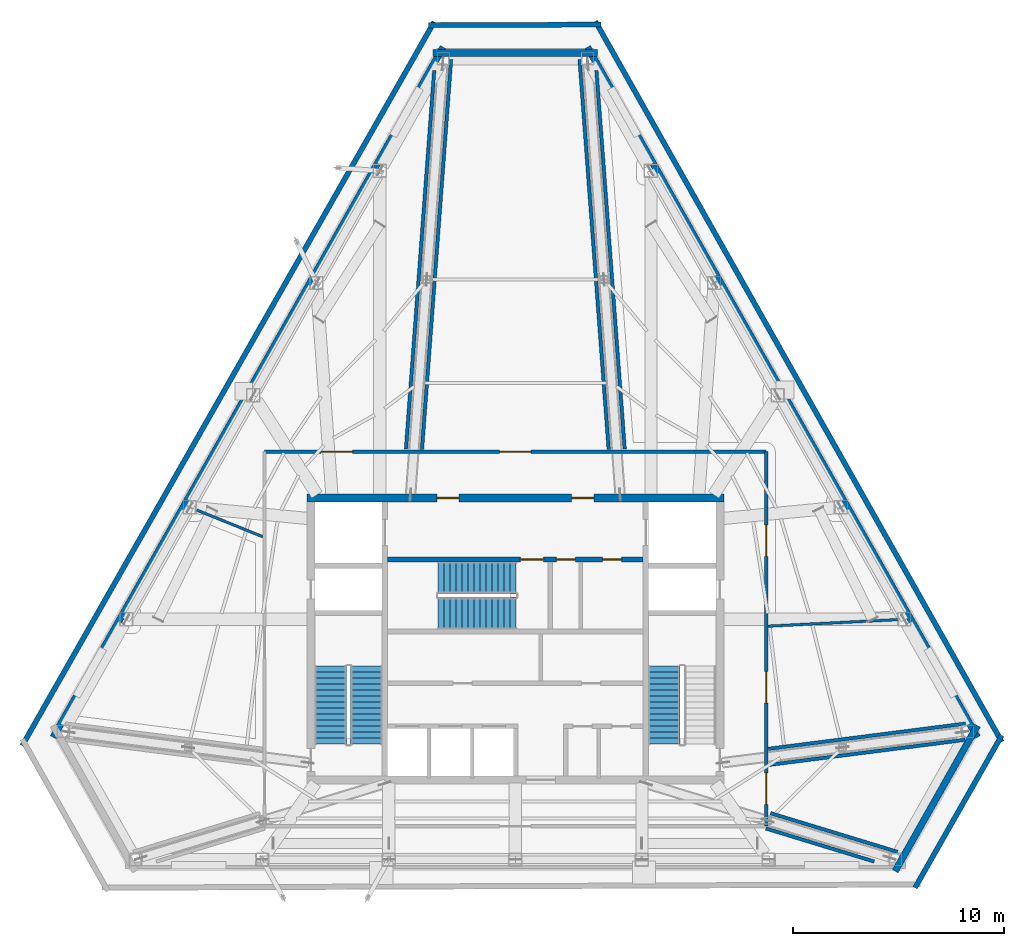
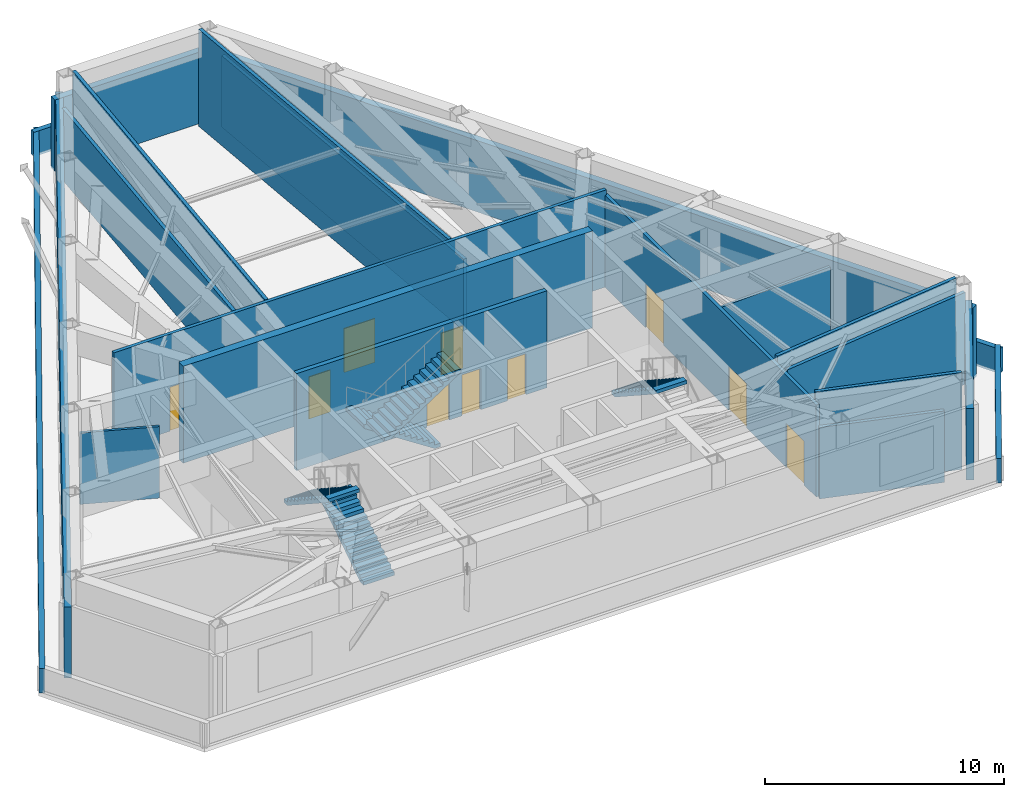
# One storey, part 10 of 13: 22 walls, 10 doors, 5 stair flights, 10 openings, 3 elements without a shape of their own.
"""IFC4 building model written with IfcOpenShell, lengths in metres."""

from ifc_helpers import new_model, si_unit, direction, frame, frame_2d, origin, place, context, subcontext, project, spatial, polyline, rectangle, outline, extrude, material, layer, layer_set, type_object, element, fill, aggregate, save


model = new_model("IFC4")

# Units and contexts
model_context = context("Model", 3, precision=1e-05, world=origin(), true_north=direction((0.0, 1.0)))
body_context = subcontext(model_context, "Body", "Model", "MODEL_VIEW")
ifc_project = project(units=[si_unit("LENGTHUNIT", "METRE"), si_unit("AREAUNIT", "SQUARE_METRE"), si_unit("VOLUMEUNIT", "CUBIC_METRE"), si_unit("PLANEANGLEUNIT", "RADIAN"), si_unit("MASSUNIT", "GRAM", prefix="KILO")], contexts=[model_context])

# Site, building, storey
site_placement = place(None, origin())
site = spatial("IfcSite", under=ifc_project, at=site_placement, CompositionType="ELEMENT")
building_placement = place(site_placement, origin())
building = spatial("IfcBuilding", under=site, at=building_placement, Name="Kavelnor Concourse Tower", CompositionType="ELEMENT")
storey_placement = place(building_placement, frame((0.0, 0.0, 234.300048828125)))
storey = spatial("IfcBuildingStorey", under=building, at=storey_placement, Name="L59", CompositionType="ELEMENT", Elevation=234.300048828125)

# Wall, openings, doors
ifc_material_1 = material(Name="Concrete C50/60", Category="concrete")
ifc_layer_1 = layer(ifc_material_1, 0.3798828125, Name="Concrete C50/60")
ifc_layer_set_1 = layer_set([ifc_layer_1], Name="Concrete C50/60")
wall_type_1 = type_object("IfcWallType", Name="WL-CORE-Z4-380", PredefinedType="SOLIDWALL", material=ifc_layer_set_1)
wall_1_placement = place(storey_placement, frame((28.10009765625, 22.7900390625, 0.0), z_axis=(0.0, 0.0, 1.0), x_axis=(1.0, 0.0, 0.0)))
wall_1 = element("IfcWall", 1, at=wall_1_placement, inside=storey, type_object=wall_type_1, Name="L59 Central Core North Shear Wall", PredefinedType="SOLIDWALL", context=body_context, shape_type="SweptSolid", body=[
    extrude(rectangle(XDim=19.7998046875, YDim=0.3798828125, at=frame_2d((9.89990234375, 0.0))), origin(), (0.0, 0.0, 1.0), 4.9599609375),
])
opening_1_placement = place(wall_1_placement, frame((6.175048828125, 0.0, 0.0)))
opening_1 = element("IfcOpeningElement", 2, at=opening_1_placement, cuts=wall_1, Name="Opening FD-105", PredefinedType="OPENING", context=body_context, shape_type="SweptSolid", body=[
    extrude(rectangle(XDim=1.050048828125, YDim=2.14990234375, at=frame_2d((0.52490234375, 1.074951171875))), frame((0.0, 0.199951171875, 0.0), z_axis=(0.0, -1.0, 0.0), x_axis=(1.0, 0.0, 0.0)), (0.0, 0.0, 1.0), 0.39990234375),
])
opening_2_placement = place(wall_1_placement, frame((12.574951171875, 0.0, 0.0)))
opening_2 = element("IfcOpeningElement", 3, at=opening_2_placement, cuts=wall_1, Name="Opening FD-105", PredefinedType="OPENING", context=body_context, shape_type="SweptSolid", body=[
    extrude(rectangle(XDim=1.050048828125, YDim=2.14990234375, at=frame_2d((0.52490234375, 1.074951171875))), frame((0.0, 0.199951171875, 0.0), z_axis=(0.0, -1.0, 0.0), x_axis=(1.0, 0.0, 0.0)), (0.0, 0.0, 1.0), 0.39990234375),
])
ifc_material_2 = material(Name="Steel Grade 350", Category="steel")
door_type_1 = type_object("IfcDoorType", Name="DR-LOBBY-FIRE-1050", OperationType="NOTDEFINED", PredefinedType="DOOR", material=ifc_material_2)
door_1_placement = place(opening_1_placement, origin())
door_1 = element("IfcDoor", 4, at=door_1_placement, inside=storey, type_object=door_type_1, Name="L59 Emergency Lift Lobby West Door", OperationType="SINGLE_SWING_LEFT", OverallHeight=2.14990234375, OverallWidth=1.050048828125, PredefinedType="DOOR", context=body_context, shape_type="SweptSolid", body=[
    extrude(rectangle(XDim=1.050048828125, YDim=2.14990234375, at=frame_2d((0.52490234375, 1.074951171875))), frame((0.0, 0.02490234375, 0.0), z_axis=(0.0, -1.0, 0.0), x_axis=(1.0, 0.0, 0.0)), (0.0, 0.0, 1.0), 0.050048828125),
])
fill(opening_1, door_1)
door_2_placement = place(opening_2_placement, origin())
door_2 = element("IfcDoor", 5, at=door_2_placement, inside=storey, type_object=door_type_1, Name="L59 Emergency Lift Lobby East Door", OperationType="SINGLE_SWING_RIGHT", OverallHeight=2.14990234375, OverallWidth=1.050048828125, PredefinedType="DOOR", context=body_context, shape_type="SweptSolid", body=[
    extrude(rectangle(XDim=1.050048828125, YDim=2.14990234375, at=frame_2d((0.52490234375, 1.074951171875))), frame((0.0, 0.02490234375, 0.0), z_axis=(0.0, -1.0, 0.0), x_axis=(1.0, 0.0, 0.0)), (0.0, 0.0, 1.0), 0.050048828125),
])
fill(opening_2, door_2)

# Walls
ifc_material_3 = material(Name="Buff ironspot clay face brick masonry", Category="masonry")
ifc_layer_2 = layer(ifc_material_3, 0.320068359375, Name="Buff ironspot clay face brick masonry")
ifc_layer_set_2 = layer_set([ifc_layer_2], Name="Buff ironspot clay face brick masonry")
wall_type_2 = type_object("IfcWallType", Name="WL-EXT-BUFF-BRICK-SPANDREL-320", PredefinedType="STANDARD", material=ifc_layer_set_2)
wall_2_placement = place(storey_placement, frame((34.091552734375, 43.913818359375, 0.0), z_axis=(0.0, 0.0, 1.0), x_axis=(1.0, 0.0, 0.0)))
element("IfcWall", 6, at=wall_2_placement, inside=storey, type_object=wall_type_2, Name="L59 Exterior Brick Facade Wall E0", PredefinedType="STANDARD", context=body_context, shape_type="SweptSolid", body=[
    extrude(rectangle(XDim=7.81689453125, YDim=0.320068359375, at=frame_2d((3.908447265625, 0.0))), origin(), (0.0, 0.0, 1.0), 3.65185546875),
])
wall_3_placement = place(storey_placement, frame((16.060302734375, 11.4296875, 0.0), z_axis=(0.0, 0.0, 1.0), x_axis=(0.491919583937, 0.87064063938, 0.0)))
element("IfcWall", 7, at=wall_3_placement, inside=storey, type_object=wall_type_2, Name="L59 Exterior Brick Facade Wall E1", PredefinedType="STANDARD", context=body_context, shape_type="SweptSolid", body=[
    extrude(rectangle(XDim=37.633056640625, YDim=0.320068359375, at=frame_2d((18.81640625, 0.0))), origin(), (0.0, 0.0, 1.0), 3.65185546875),
])
wall_4_placement = place(storey_placement, frame((59.939697265625, 11.984375, 0.0), z_axis=(0.0, 0.0, 1.0), x_axis=(-0.491920449469, -0.870640150346, 0.0)))
element("IfcWall", 8, at=wall_4_placement, inside=storey, type_object=wall_type_2, Name="L59 Exterior Brick Facade Wall E4", PredefinedType="STANDARD", context=body_context, shape_type="SweptSolid", body=[
    extrude(rectangle(XDim=7.938720703125, YDim=0.320068359375, at=frame_2d((3.96923828125, 0.0))), origin(), (0.0, 0.0, 1.0), 3.65185546875),
])
wall_5_placement = place(storey_placement, frame((41.42724609375, 44.194580078125, 0.0), z_axis=(0.0, 0.0, 1.0), x_axis=(0.491919583937, -0.87064063938, 0.0)))
element("IfcWall", 9, at=wall_5_placement, inside=storey, type_object=wall_type_2, Name="L59 Exterior Brick Facade Wall E5", PredefinedType="STANDARD", context=body_context, shape_type="SweptSolid", body=[
    extrude(rectangle(XDim=37.633056640625, YDim=0.320068359375, at=frame_2d((18.81640625, 0.0))), origin(), (0.0, 0.0, 1.0), 3.65185546875),
])

# Wall, openings, doors
ifc_material_4 = material(Name="Gypsum plasterboard on light-gauge steel studs", Category="steel")
ifc_layer_3 = layer(ifc_material_4, 0.1650390625, Name="Gypsum plasterboard on light-gauge steel studs")
ifc_layer_set_3 = layer_set([ifc_layer_3], Name="Gypsum plasterboard on light-gauge steel studs")
wall_type_3 = type_object("IfcWallType", Name="WL-INT-FIRE-165", PredefinedType="PARTITIONING", material=ifc_layer_set_3)
wall_6_placement = place(storey_placement, frame((26.090087890625, 24.989990234375, 0.0), z_axis=(0.0, 0.0, 1.0), x_axis=(1.0, 0.0, 0.0)))
wall_6 = element("IfcWall", 10, at=wall_6_placement, inside=storey, type_object=wall_type_3, Name="L59 Corridor Wall WL-L59-CR-N", PredefinedType="PARTITIONING", context=body_context, shape_type="SweptSolid", body=[
    extrude(rectangle(XDim=23.81982421875, YDim=0.1650390625, at=frame_2d((11.909912109375, 0.0))), origin(), (0.0, 0.0, 1.0), 4.9599609375),
])
opening_3_placement = place(wall_6_placement, frame((11.16015625, 0.0, 0.0)))
opening_3 = element("IfcOpeningElement", 11, at=opening_3_placement, cuts=wall_6, Name="Opening PD-150", PredefinedType="OPENING", context=body_context, shape_type="SweptSolid", body=[
    extrude(rectangle(XDim=1.5, YDim=2.25, at=frame_2d((0.75, 1.125))), frame((0.0, 0.092529296875, 0.0), z_axis=(0.0, -1.0, 0.0), x_axis=(1.0, 0.0, 0.0)), (0.0, 0.0, 1.0), 0.18505859375),
])
opening_4_placement = place(wall_6_placement, frame((2.687255859375, 0.0, 0.0)))
opening_4 = element("IfcOpeningElement", 12, at=opening_4_placement, cuts=wall_6, Name="Opening PD-150", PredefinedType="OPENING", context=body_context, shape_type="SweptSolid", body=[
    extrude(rectangle(XDim=1.5, YDim=2.25, at=frame_2d((0.75, 1.125))), frame((0.0, 0.092529296875, 0.0), z_axis=(0.0, -1.0, 0.0), x_axis=(1.0, 0.0, 0.0)), (0.0, 0.0, 1.0), 0.18505859375),
])
door_type_2 = type_object("IfcDoorType", Name="DR-PLANT-1500", OperationType="NOTDEFINED", PredefinedType="DOOR", material=ifc_material_2)
door_3_placement = place(opening_3_placement, origin())
door_3 = element("IfcDoor", 13, at=door_3_placement, inside=storey, type_object=door_type_2, Name="L59 Refuge Area North-West 02 Door", OperationType="DOUBLE_DOOR_SINGLE_SWING", OverallHeight=2.25, OverallWidth=1.5, PredefinedType="DOOR", context=body_context, shape_type="SweptSolid", body=[
    extrude(rectangle(XDim=1.5, YDim=2.25, at=frame_2d((0.75, 1.125))), frame((0.0, 0.02490234375, 0.0), z_axis=(0.0, -1.0, 0.0), x_axis=(1.0, 0.0, 0.0)), (0.0, 0.0, 1.0), 0.050048828125),
])
fill(opening_3, door_3)
door_4_placement = place(opening_4_placement, origin())
door_4 = element("IfcDoor", 14, at=door_4_placement, inside=storey, type_object=door_type_2, Name="L59 Air Handling and Chiller Plant Room 03 Door", OperationType="DOUBLE_DOOR_SINGLE_SWING", OverallHeight=2.25, OverallWidth=1.5, PredefinedType="DOOR", context=body_context, shape_type="SweptSolid", body=[
    extrude(rectangle(XDim=1.5, YDim=2.25, at=frame_2d((0.75, 1.125))), frame((0.0, 0.02490234375, 0.0), z_axis=(0.0, -1.0, 0.0), x_axis=(1.0, 0.0, 0.0)), (0.0, 0.0, 1.0), 0.050048828125),
])
fill(opening_4, door_4)

wall_7_placement = place(storey_placement, frame((49.909912109375, 7.2099609375, 0.0), z_axis=(0.0, 0.0, 1.0), x_axis=(0.0, 1.0, 0.0)))
wall_7 = element("IfcWall", 15, at=wall_7_placement, inside=storey, type_object=wall_type_3, Name="L59 Corridor Wall WL-L59-CR-E", PredefinedType="PARTITIONING", context=body_context, shape_type="SweptSolid", body=[
    extrude(rectangle(XDim=17.780029296875, YDim=0.1650390625, at=frame_2d((8.89013671875, 0.0))), origin(), (0.0, 0.0, 1.0), 4.698974609375),
])
opening_5_placement = place(wall_7_placement, frame((12.803466796875, 0.0, 0.0)))
opening_5 = element("IfcOpeningElement", 16, at=opening_5_placement, cuts=wall_7, Name="Opening PD-150", PredefinedType="OPENING", context=body_context, shape_type="SweptSolid", body=[
    extrude(rectangle(XDim=1.5, YDim=2.25, at=frame_2d((0.75, 1.125))), frame((0.0, 0.092529296875, 0.0), z_axis=(0.0, -1.0, 0.0), x_axis=(1.0, 0.0, 0.0)), (0.0, 0.0, 1.0), 0.18505859375),
])
opening_6_placement = place(wall_7_placement, frame((1.0283203125, 0.0, 0.0)))
opening_6 = element("IfcOpeningElement", 17, at=opening_6_placement, cuts=wall_7, Name="Opening PD-150", PredefinedType="OPENING", context=body_context, shape_type="SweptSolid", body=[
    extrude(rectangle(XDim=1.5, YDim=2.25, at=frame_2d((0.75, 1.125))), frame((0.0, 0.092529296875, 0.0), z_axis=(0.0, -1.0, 0.0), x_axis=(1.0, 0.0, 0.0)), (0.0, 0.0, 1.0), 0.18505859375),
])
opening_7_placement = place(wall_7_placement, frame((5.8408203125, 0.0, 0.0)))
opening_7 = element("IfcOpeningElement", 18, at=opening_7_placement, cuts=wall_7, Name="Opening PD-150", PredefinedType="OPENING", context=body_context, shape_type="SweptSolid", body=[
    extrude(rectangle(XDim=1.5, YDim=2.25, at=frame_2d((0.75, 1.125))), frame((0.0, 0.092529296875, 0.0), z_axis=(0.0, -1.0, 0.0), x_axis=(1.0, 0.0, 0.0)), (0.0, 0.0, 1.0), 0.18505859375),
])
door_5_placement = place(opening_5_placement, origin())
door_5 = element("IfcDoor", 19, at=door_5_placement, inside=storey, type_object=door_type_2, Name="L59 Refuge Area North-East 01 Door", OperationType="DOUBLE_DOOR_SINGLE_SWING", OverallHeight=2.25, OverallWidth=1.5, PredefinedType="DOOR", context=body_context, shape_type="SweptSolid", body=[
    extrude(rectangle(XDim=1.5, YDim=2.25, at=frame_2d((0.75, 1.125))), frame((0.0, 0.02490234375, 0.0), z_axis=(0.0, -1.0, 0.0), x_axis=(1.0, 0.0, 0.0)), (0.0, 0.0, 1.0), 0.050048828125),
])
fill(opening_5, door_5)
door_6_placement = place(opening_6_placement, origin())
door_6 = element("IfcDoor", 20, at=door_6_placement, inside=storey, type_object=door_type_2, Name="L59 Refuge Area North-East 07 Door", OperationType="DOUBLE_DOOR_SINGLE_SWING", OverallHeight=2.25, OverallWidth=1.5, PredefinedType="DOOR", context=body_context, shape_type="SweptSolid", body=[
    extrude(rectangle(XDim=1.5, YDim=2.25, at=frame_2d((0.75, 1.125))), frame((0.0, 0.02490234375, 0.0), z_axis=(0.0, -1.0, 0.0), x_axis=(1.0, 0.0, 0.0)), (0.0, 0.0, 1.0), 0.050048828125),
])
fill(opening_6, door_6)
door_7_placement = place(opening_7_placement, origin())
door_7 = element("IfcDoor", 21, at=door_7_placement, inside=storey, type_object=door_type_2, Name="L59 Refuge Area North-West 08 Door", OperationType="DOUBLE_DOOR_SINGLE_SWING", OverallHeight=2.25, OverallWidth=1.5, PredefinedType="DOOR", context=body_context, shape_type="SweptSolid", body=[
    extrude(rectangle(XDim=1.5, YDim=2.25, at=frame_2d((0.75, 1.125))), frame((0.0, 0.02490234375, 0.0), z_axis=(0.0, -1.0, 0.0), x_axis=(1.0, 0.0, 0.0)), (0.0, 0.0, 1.0), 0.050048828125),
])
fill(opening_7, door_7)

# Walls
wall_8_placement = place(storey_placement, frame((32.806884765625, 25.118408203125, 0.0), z_axis=(0.0, 0.0, 1.0), x_axis=(0.074484472145, 0.997222173545, 0.0)))
element("IfcWall", 22, at=wall_8_placement, inside=storey, type_object=wall_type_3, Name="L59 Outrigger Truss Zone Wall 1L", PredefinedType="PARTITIONING", context=body_context, shape_type="SweptSolid", body=[
    extrude(rectangle(XDim=18.02099609375, YDim=0.1650390625, at=frame_2d((9.010498046875, 0.0))), origin(), (0.0, 0.0, 1.0), 3.655029296875),
])
wall_9_placement = place(storey_placement, frame((33.56689453125, 25.090087890625, 0.0), z_axis=(0.0, 0.0, 1.0), x_axis=(0.074476298328, 0.997222784029, 0.0)))
element("IfcWall", 23, at=wall_9_placement, inside=storey, type_object=wall_type_3, Name="L59 Outrigger Truss Zone Wall 1R", PredefinedType="PARTITIONING", context=body_context, shape_type="SweptSolid", body=[
    extrude(rectangle(XDim=18.576904296875, YDim=0.1650390625, at=frame_2d((9.28857421875, 0.0))), origin(), (0.0, 0.0, 1.0), 4.9599609375),
])
wall_10_placement = place(storey_placement, frame((50.120849609375, 7.824951171875, 0.0), z_axis=(0.0, 0.0, 1.0), x_axis=(0.956485946224, -0.291778399948, 0.0)))
element("IfcWall", 24, at=wall_10_placement, inside=storey, type_object=wall_type_3, Name="L59 Outrigger Truss Zone Wall 4L", PredefinedType="PARTITIONING", context=body_context, shape_type="SweptSolid", body=[
    extrude(rectangle(XDim=6.2998046875, YDim=0.1650390625, at=frame_2d((3.14990234375, 0.0))), origin(), (0.0, 0.0, 1.0), 4.9599609375),
])
wall_11_placement = place(storey_placement, frame((49.899169921875, 7.097900390625, 0.0), z_axis=(0.0, 0.0, 1.0), x_axis=(0.956485702971, -0.291779197362, 0.0)))
element("IfcWall", 25, at=wall_11_placement, inside=storey, type_object=wall_type_3, Name="L59 Outrigger Truss Zone Wall 4R", PredefinedType="PARTITIONING", context=body_context, shape_type="SweptSolid", body=[
    extrude(rectangle(XDim=5.37939453125, YDim=0.1650390625, at=frame_2d((2.689697265625, 0.0))), origin(), (0.0, 0.0, 1.0), 3.655029296875),
])
wall_12_placement = place(storey_placement, frame((50.010009765625, 10.8798828125, 0.0), z_axis=(0.0, 0.0, 1.0), x_axis=(0.991919681507, 0.126867432537, 0.0)))
element("IfcWall", 26, at=wall_12_placement, inside=storey, type_object=wall_type_3, Name="L59 Outrigger Truss Zone Wall 5L", PredefinedType="PARTITIONING", context=body_context, shape_type="SweptSolid", body=[
    extrude(rectangle(XDim=9.43896484375, YDim=0.1650390625, at=frame_2d((4.719482421875, 0.0))), origin(), (0.0, 0.0, 1.0), 4.9599609375),
])
wall_13_placement = place(storey_placement, frame((50.05810546875, 10.11962890625, 0.0), z_axis=(0.0, 0.0, 1.0), x_axis=(0.991918429115, 0.126877224045, 0.0)))
element("IfcWall", 27, at=wall_13_placement, inside=storey, type_object=wall_type_3, Name="L59 Outrigger Truss Zone Wall 5R", PredefinedType="PARTITIONING", context=body_context, shape_type="SweptSolid", body=[
    extrude(rectangle(XDim=9.374755859375, YDim=0.1650390625, at=frame_2d((4.6875, 0.0))), origin(), (0.0, 0.0, 1.0), 4.698974609375),
])
wall_14_placement = place(storey_placement, frame((42.43310546875, 25.090087890625, 0.0), z_axis=(0.0, 0.0, 1.0), x_axis=(-0.074476298328, 0.997222784029, 0.0)))
element("IfcWall", 28, at=wall_14_placement, inside=storey, type_object=wall_type_3, Name="L59 Outrigger Truss Zone Wall 6L", PredefinedType="PARTITIONING", context=body_context, shape_type="SweptSolid", body=[
    extrude(rectangle(XDim=18.576904296875, YDim=0.1650390625, at=frame_2d((9.28857421875, 0.0))), origin(), (0.0, 0.0, 1.0), 4.9599609375),
])
wall_15_placement = place(storey_placement, frame((43.193115234375, 25.118408203125, 0.0), z_axis=(0.0, 0.0, 1.0), x_axis=(-0.074484472145, 0.997222173545, 0.0)))
element("IfcWall", 29, at=wall_15_placement, inside=storey, type_object=wall_type_3, Name="L59 Outrigger Truss Zone Wall 6R", PredefinedType="PARTITIONING", context=body_context, shape_type="SweptSolid", body=[
    extrude(rectangle(XDim=18.02099609375, YDim=0.1650390625, at=frame_2d((9.010498046875, 0.0))), origin(), (0.0, 0.0, 1.0), 3.655029296875),
])
ifc_layer_4 = layer(ifc_material_4, 0.125, Name="Gypsum plasterboard on light-gauge steel studs")
ifc_layer_set_4 = layer_set([ifc_layer_4], Name="Gypsum plasterboard on light-gauge steel studs")
wall_type_4 = type_object("IfcWallType", Name="WL-INT-SUITE-125", PredefinedType="PARTITIONING", material=ifc_layer_set_4)
wall_16_placement = place(storey_placement, frame((50.00048828125, 16.7041015625, 0.0), z_axis=(0.0, 0.0, 1.0), x_axis=(0.998734141149, 0.050300251529, 0.0)))
element("IfcWall", 30, at=wall_16_placement, inside=storey, type_object=wall_type_4, Name="L59 Radial Suite Partition 01", PredefinedType="PARTITIONING", context=body_context, shape_type="SweptSolid", body=[
    extrude(rectangle(XDim=6.144775390625, YDim=0.125, at=frame_2d((3.072265625, 0.0))), origin(), (0.0, 0.0, 1.0), 3.655029296875),
])
wall_17_placement = place(storey_placement, frame((25.99951171875, 20.9541015625, 0.0), z_axis=(0.0, 0.0, 1.0), x_axis=(-0.927028237723, 0.374991528522, 0.0)))
element("IfcWall", 31, at=wall_17_placement, inside=storey, type_object=wall_type_4, Name="L59 Radial Suite Partition 02", PredefinedType="PARTITIONING", context=body_context, shape_type="SweptSolid", body=[
    extrude(rectangle(XDim=3.375732421875, YDim=0.125, at=frame_2d((1.68798828125, 0.0))), origin(), (0.0, 0.0, 1.0), 3.655029296875),
])
ifc_material_5 = material(Name="Red-ochre clay face brick masonry", Category="masonry")
ifc_layer_5 = layer(ifc_material_5, 0.239990234375, Name="Red-ochre clay face brick masonry")
ifc_layer_set_5 = layer_set([ifc_layer_5], Name="Red-ochre clay face brick masonry")
wall_type_5 = type_object("IfcWallType", Name="WL-PARAPET-BRICK-240", PredefinedType="PARAPET", material=ifc_layer_set_5)
wall_18_placement = place(storey_placement, frame((42.069580078125, 45.26953125, 0.0), z_axis=(0.0, 0.0, 1.0), x_axis=(-0.999992263003, -0.003933692297, 0.0)))
element("IfcWall", 32, at=wall_18_placement, inside=storey, type_object=wall_type_5, Name="L59 Setback Roof Brick Parapet E0", PredefinedType="PARAPET", context=body_context, shape_type="SweptSolid", body=[
    extrude(rectangle(XDim=8.1923828125, YDim=0.239990234375, at=frame_2d((4.09619140625, 0.0))), origin(), (0.0, 0.0, 1.0), 1.25),
])
wall_19_placement = place(storey_placement, frame((34.147705078125, 45.3955078125, 0.0), z_axis=(0.0, 0.0, 1.0), x_axis=(-0.49469479865, -0.869066773147, 0.0)))
element("IfcWall", 33, at=wall_19_placement, inside=storey, type_object=wall_type_5, Name="L59 Setback Roof Brick Parapet E1", PredefinedType="PARAPET", context=body_context, shape_type="SweptSolid", body=[
    extrude(rectangle(XDim=39.544189453125, YDim=0.239990234375, at=frame_2d((19.77197265625, 0.0))), origin(), (0.0, 0.0, 1.0), 1.25),
])
wall_20_placement = place(storey_placement, frame((56.97607421875, 4.281982421875, 0.0), z_axis=(0.0, 0.0, 1.0), x_axis=(0.49469634297, 0.869065894079, 0.0)))
element("IfcWall", 34, at=wall_20_placement, inside=storey, type_object=wall_type_5, Name="L59 Setback Roof Brick Parapet E4", PredefinedType="PARAPET", context=body_context, shape_type="SweptSolid", body=[
    extrude(rectangle(XDim=8.3330078125, YDim=0.239990234375, at=frame_2d((4.16650390625, 0.0))), origin(), (0.0, 0.0, 1.0), 1.25),
])
wall_21_placement = place(storey_placement, frame((61.097900390625, 11.2119140625, 0.0), z_axis=(0.0, 0.0, 1.0), x_axis=(-0.491296283938, 0.870992515117, 0.0)))
element("IfcWall", 35, at=wall_21_placement, inside=storey, type_object=wall_type_5, Name="L59 Setback Roof Brick Parapet E5", PredefinedType="PARAPET", context=body_context, shape_type="SweptSolid", body=[
    extrude(rectangle(XDim=39.283447265625, YDim=0.239990234375, at=frame_2d((19.6416015625, 0.0))), origin(), (0.0, 0.0, 1.0), 1.25),
])

# Wall, openings, doors
ifc_layer_6 = layer(ifc_material_1, 0.219970703125, Name="Concrete C50/60")
ifc_layer_set_6 = layer_set([ifc_layer_6], Name="Concrete C50/60")
wall_type_6 = type_object("IfcWallType", Name="WL-SHAFT-220", PredefinedType="SOLIDWALL", material=ifc_layer_set_6)
wall_22_placement = place(storey_placement, frame((31.93994140625, 19.8701171875, 0.0), z_axis=(0.0, 0.0, 1.0), x_axis=(1.0, 0.0, 0.0)))
wall_22 = element("IfcWall", 36, at=wall_22_placement, inside=storey, type_object=wall_type_6, Name="L59 Emergency Lift Lobby South Wall", PredefinedType="SOLIDWALL", context=body_context, shape_type="SweptSolid", body=[
    extrude(rectangle(XDim=12.1201171875, YDim=0.219970703125, at=frame_2d((6.06005859375, 0.0))), origin(), (0.0, 0.0, 1.0), 4.9599609375),
])
opening_8_placement = place(wall_22_placement, frame((6.300048828125, 0.0, 0.0)))
opening_8 = element("IfcOpeningElement", 37, at=opening_8_placement, cuts=wall_22, Name="Opening FD-110", PredefinedType="OPENING", context=body_context, shape_type="SweptSolid", body=[
    extrude(rectangle(XDim=1.10009765625, YDim=2.14990234375, at=frame_2d((0.550048828125, 1.074951171875))), frame((0.0, 0.1201171875, 0.0), z_axis=(0.0, -1.0, 0.0), x_axis=(1.0, 0.0, 0.0)), (0.0, 0.0, 1.0), 0.239990234375),
])
opening_9_placement = place(wall_22_placement, frame((8.010009765625, 0.0, 0.0)))
opening_9 = element("IfcOpeningElement", 38, at=opening_9_placement, cuts=wall_22, Name="Opening FD-090", PredefinedType="OPENING", context=body_context, shape_type="SweptSolid", body=[
    extrude(rectangle(XDim=0.89990234375, YDim=2.10009765625, at=frame_2d((0.449951171875, 1.050048828125))), frame((0.0, 0.1201171875, 0.0), z_axis=(0.0, -1.0, 0.0), x_axis=(1.0, 0.0, 0.0)), (0.0, 0.0, 1.0), 0.239990234375),
])
opening_10_placement = place(wall_22_placement, frame((10.2099609375, 0.0, 0.0)))
opening_10 = element("IfcOpeningElement", 39, at=opening_10_placement, cuts=wall_22, Name="Opening FD-090", PredefinedType="OPENING", context=body_context, shape_type="SweptSolid", body=[
    extrude(rectangle(XDim=0.89990234375, YDim=2.10009765625, at=frame_2d((0.449951171875, 1.050048828125))), frame((0.0, 0.1201171875, 0.0), z_axis=(0.0, -1.0, 0.0), x_axis=(1.0, 0.0, 0.0)), (0.0, 0.0, 1.0), 0.239990234375),
])
door_type_3 = type_object("IfcDoorType", Name="DR-RISER-FIRE-900", OperationType="NOTDEFINED", PredefinedType="DOOR", material=ifc_material_2)
door_8_placement = place(opening_9_placement, origin())
door_8 = element("IfcDoor", 40, at=door_8_placement, inside=storey, type_object=door_type_3, Name="L59 Cleaner Door", OperationType="SINGLE_SWING_RIGHT", OverallHeight=2.10009765625, OverallWidth=0.89990234375, PredefinedType="DOOR", context=body_context, shape_type="SweptSolid", body=[
    extrude(rectangle(XDim=0.89990234375, YDim=2.10009765625, at=frame_2d((0.449951171875, 1.050048828125))), frame((0.0, 0.02490234375, 0.0), z_axis=(0.0, -1.0, 0.0), x_axis=(1.0, 0.0, 0.0)), (0.0, 0.0, 1.0), 0.050048828125),
])
fill(opening_9, door_8)
door_9_placement = place(opening_10_placement, origin())
door_9 = element("IfcDoor", 41, at=door_9_placement, inside=storey, type_object=door_type_3, Name="L59 UPS Room Door", OperationType="SINGLE_SWING_LEFT", OverallHeight=2.10009765625, OverallWidth=0.89990234375, PredefinedType="DOOR", context=body_context, shape_type="SweptSolid", body=[
    extrude(rectangle(XDim=0.89990234375, YDim=2.10009765625, at=frame_2d((0.449951171875, 1.050048828125))), frame((0.0, 0.02490234375, 0.0), z_axis=(0.0, -1.0, 0.0), x_axis=(1.0, 0.0, 0.0)), (0.0, 0.0, 1.0), 0.050048828125),
])
fill(opening_10, door_9)
door_type_4 = type_object("IfcDoorType", Name="DR-STAIR-FIRE-1100", OperationType="NOTDEFINED", PredefinedType="DOOR", material=ifc_material_2)
door_10_placement = place(opening_8_placement, origin())
door_10 = element("IfcDoor", 42, at=door_10_placement, inside=storey, type_object=door_type_4, Name="L59 Stair ST3 Fire Door", OperationType="SINGLE_SWING_LEFT", OverallHeight=2.14990234375, OverallWidth=1.10009765625, PredefinedType="DOOR", context=body_context, shape_type="SweptSolid", body=[
    extrude(rectangle(XDim=1.10009765625, YDim=2.14990234375, at=frame_2d((0.550048828125, 1.074951171875))), frame((0.0, 0.02490234375, 0.0), z_axis=(0.0, -1.0, 0.0), x_axis=(1.0, 0.0, 0.0)), (0.0, 0.0, 1.0), 0.050048828125),
])
fill(opening_8, door_10)

# Stair, stair flights
ifc_material_6 = material(Name="Concrete C40/50", Category="concrete")
stair_type = type_object("IfcStairType", Name="STR-CORE-1500", PredefinedType="HALF_TURN_STAIR", material=ifc_material_6)
stair_1_placement = place(storey_placement, origin())
stair_1 = element("IfcStair", 43, at=stair_1_placement, inside=storey, type_object=stair_type, Name="L59 ST1", PredefinedType="HALF_TURN_STAIR")
stair_flight_type = type_object("IfcStairFlightType", Name="STR-FLIGHT-1500", PredefinedType="STRAIGHT", material=ifc_material_6)
stair_flight_1_placement = place(storey_placement, frame((30.929931640625, 11.10009765625, 0.0), z_axis=(0.0, 0.0, 1.0), x_axis=(0.0, 1.0, 0.0)))
stair_flight_1 = element("IfcStairFlight", 44, at=stair_flight_1_placement, type_object=stair_flight_type, Name="ST1 flight 1", NumberOfRisers=14, NumberOfTreads=13, PredefinedType="STRAIGHT", RiserHeight=0.185714286, TreadLength=0.285, context=body_context, shape_type="SweptSolid", body=[
    extrude(outline(polyline([(0.0, 0.0), (0.0, 0.185791015625), (0.284912109375, 0.185791015625), (0.284912109375, 0.371337890625), (0.570068359375, 0.371337890625), (0.570068359375, 0.55712890625), (0.85498046875, 0.55712890625), (0.85498046875, 0.742919921875), (1.139892578125, 0.742919921875), (1.139892578125, 0.928466796875), (1.425048828125, 0.928466796875), (1.425048828125, 1.1142578125), (1.7099609375, 1.1142578125), (1.7099609375, 1.300048828125), (1.9951171875, 1.300048828125), (1.9951171875, 1.485595703125), (2.280029296875, 1.485595703125), (2.280029296875, 1.67138671875), (2.56494140625, 1.67138671875), (2.56494140625, 1.857177734375), (2.85009765625, 1.857177734375), (2.85009765625, 2.04296875), (3.135009765625, 2.04296875), (3.135009765625, 2.228515625), (3.419921875, 2.228515625), (3.419921875, 2.414306640625), (3.705078125, 2.414306640625), (3.705078125, 2.60009765625), (3.705078125, 2.2353515625), (0.274658203125, 0.0), (0.0, 0.0)])), frame((0.0, 0.75, 0.0), z_axis=(0.0, -1.0, 0.0), x_axis=(1.0, 0.0, 0.0)), (0.0, 0.0, 1.0), 1.5),
])
stair_flight_2_placement = place(storey_placement, frame((29.22998046875, 14.804931640625, 2.599853515625), z_axis=(0.0, 0.0, 1.0), x_axis=(0.0, -1.0, 0.0)))
stair_flight_2 = element("IfcStairFlight", 45, at=stair_flight_2_placement, type_object=stair_flight_type, Name="ST1 flight 2", NumberOfRisers=14, NumberOfTreads=13, PredefinedType="STRAIGHT", RiserHeight=0.185714286, TreadLength=0.285, context=body_context, shape_type="SweptSolid", body=[
    extrude(outline(polyline([(0.0, 0.0), (0.0, 0.185791015625), (0.284912109375, 0.185791015625), (0.284912109375, 0.371337890625), (0.570068359375, 0.371337890625), (0.570068359375, 0.55712890625), (0.85498046875, 0.55712890625), (0.85498046875, 0.742919921875), (1.139892578125, 0.742919921875), (1.139892578125, 0.928466796875), (1.425048828125, 0.928466796875), (1.425048828125, 1.1142578125), (1.7099609375, 1.1142578125), (1.7099609375, 1.300048828125), (1.9951171875, 1.300048828125), (1.9951171875, 1.485595703125), (2.280029296875, 1.485595703125), (2.280029296875, 1.67138671875), (2.56494140625, 1.67138671875), (2.56494140625, 1.857177734375), (2.85009765625, 1.857177734375), (2.85009765625, 2.04296875), (3.135009765625, 2.04296875), (3.135009765625, 2.228515625), (3.419921875, 2.228515625), (3.419921875, 2.414306640625), (3.705078125, 2.414306640625), (3.705078125, 2.60009765625), (3.705078125, 2.2353515625), (0.274658203125, 0.0), (0.0, 0.0)])), frame((0.0, 0.75, 0.0), z_axis=(0.0, -1.0, 0.0), x_axis=(1.0, 0.0, 0.0)), (0.0, 0.0, 1.0), 1.5),
])
aggregate(stair_1, [stair_flight_1, stair_flight_2])

# Stair, stair flight
stair_2_placement = place(storey_placement, origin())
stair_2 = element("IfcStair", 46, at=stair_2_placement, inside=storey, type_object=stair_type, Name="L59 ST2", PredefinedType="HALF_TURN_STAIR")
stair_flight_3_placement = place(storey_placement, frame((45.070068359375, 14.804931640625, 2.599853515625), z_axis=(0.0, 0.0, 1.0), x_axis=(0.0, -1.0, 0.0)))
stair_flight_3 = element("IfcStairFlight", 47, at=stair_flight_3_placement, type_object=stair_flight_type, Name="ST2 flight 2", NumberOfRisers=14, NumberOfTreads=13, PredefinedType="STRAIGHT", RiserHeight=0.185714286, TreadLength=0.285, context=body_context, shape_type="SweptSolid", body=[
    extrude(outline(polyline([(0.0, 0.0), (0.0, 0.185791015625), (0.284912109375, 0.185791015625), (0.284912109375, 0.371337890625), (0.570068359375, 0.371337890625), (0.570068359375, 0.55712890625), (0.85498046875, 0.55712890625), (0.85498046875, 0.742919921875), (1.139892578125, 0.742919921875), (1.139892578125, 0.928466796875), (1.425048828125, 0.928466796875), (1.425048828125, 1.1142578125), (1.7099609375, 1.1142578125), (1.7099609375, 1.300048828125), (1.9951171875, 1.300048828125), (1.9951171875, 1.485595703125), (2.280029296875, 1.485595703125), (2.280029296875, 1.67138671875), (2.56494140625, 1.67138671875), (2.56494140625, 1.857177734375), (2.85009765625, 1.857177734375), (2.85009765625, 2.04296875), (3.135009765625, 2.04296875), (3.135009765625, 2.228515625), (3.419921875, 2.228515625), (3.419921875, 2.414306640625), (3.705078125, 2.414306640625), (3.705078125, 2.60009765625), (3.705078125, 2.2353515625), (0.274658203125, 0.0), (0.0, 0.0)])), frame((0.0, 0.75, 0.0), z_axis=(0.0, -1.0, 0.0), x_axis=(1.0, 0.0, 0.0)), (0.0, 0.0, 1.0), 1.5),
])
aggregate(stair_2, [stair_flight_3])

# Stair, stair flights
stair_3_placement = place(storey_placement, origin())
stair_3 = element("IfcStair", 48, at=stair_3_placement, inside=storey, type_object=stair_type, Name="L59 ST3", PredefinedType="HALF_TURN_STAIR")
stair_flight_4_placement = place(storey_placement, frame((38.0400390625, 19.010009765625, 0.0), z_axis=(0.0, 0.0, 1.0), x_axis=(-1.0, 0.0, 0.0)))
stair_flight_4 = element("IfcStairFlight", 49, at=stair_flight_4_placement, type_object=stair_flight_type, Name="ST3 flight 1", NumberOfRisers=14, NumberOfTreads=13, PredefinedType="STRAIGHT", RiserHeight=0.185714286, TreadLength=0.285, context=body_context, shape_type="SweptSolid", body=[
    extrude(outline(polyline([(0.0, 0.0), (0.0, 0.185791015625), (0.284912109375, 0.185791015625), (0.284912109375, 0.371337890625), (0.570068359375, 0.371337890625), (0.570068359375, 0.55712890625), (0.85498046875, 0.55712890625), (0.85498046875, 0.742919921875), (1.139892578125, 0.742919921875), (1.139892578125, 0.928466796875), (1.425048828125, 0.928466796875), (1.425048828125, 1.1142578125), (1.7099609375, 1.1142578125), (1.7099609375, 1.300048828125), (1.9951171875, 1.300048828125), (1.9951171875, 1.485595703125), (2.280029296875, 1.485595703125), (2.280029296875, 1.67138671875), (2.56494140625, 1.67138671875), (2.56494140625, 1.857177734375), (2.85009765625, 1.857177734375), (2.85009765625, 2.04296875), (3.135009765625, 2.04296875), (3.135009765625, 2.228515625), (3.419921875, 2.228515625), (3.419921875, 2.414306640625), (3.705078125, 2.414306640625), (3.705078125, 2.60009765625), (3.705078125, 2.2353515625), (0.274658203125, 0.0), (0.0, 0.0)])), frame((0.0, 0.75, 0.0), z_axis=(0.0, -1.0, 0.0), x_axis=(1.0, 0.0, 0.0)), (0.0, 0.0, 1.0), 1.5),
])
stair_flight_5_placement = place(storey_placement, frame((34.3349609375, 17.31005859375, 2.599853515625), z_axis=(0.0, 0.0, 1.0), x_axis=(1.0, 0.0, 0.0)))
stair_flight_5 = element("IfcStairFlight", 50, at=stair_flight_5_placement, type_object=stair_flight_type, Name="ST3 flight 2", NumberOfRisers=14, NumberOfTreads=13, PredefinedType="STRAIGHT", RiserHeight=0.185714286, TreadLength=0.285, context=body_context, shape_type="SweptSolid", body=[
    extrude(outline(polyline([(0.0, 0.0), (0.0, 0.185791015625), (0.284912109375, 0.185791015625), (0.284912109375, 0.371337890625), (0.570068359375, 0.371337890625), (0.570068359375, 0.55712890625), (0.85498046875, 0.55712890625), (0.85498046875, 0.742919921875), (1.139892578125, 0.742919921875), (1.139892578125, 0.928466796875), (1.425048828125, 0.928466796875), (1.425048828125, 1.1142578125), (1.7099609375, 1.1142578125), (1.7099609375, 1.300048828125), (1.9951171875, 1.300048828125), (1.9951171875, 1.485595703125), (2.280029296875, 1.485595703125), (2.280029296875, 1.67138671875), (2.56494140625, 1.67138671875), (2.56494140625, 1.857177734375), (2.85009765625, 1.857177734375), (2.85009765625, 2.04296875), (3.135009765625, 2.04296875), (3.135009765625, 2.228515625), (3.419921875, 2.228515625), (3.419921875, 2.414306640625), (3.705078125, 2.414306640625), (3.705078125, 2.60009765625), (3.705078125, 2.2353515625), (0.274658203125, 0.0), (0.0, 0.0)])), frame((0.0, 0.75, 0.0), z_axis=(0.0, -1.0, 0.0), x_axis=(1.0, 0.0, 0.0)), (0.0, 0.0, 1.0), 1.5),
])
aggregate(stair_3, [stair_flight_4, stair_flight_5])

save(model, "model.ifc")
